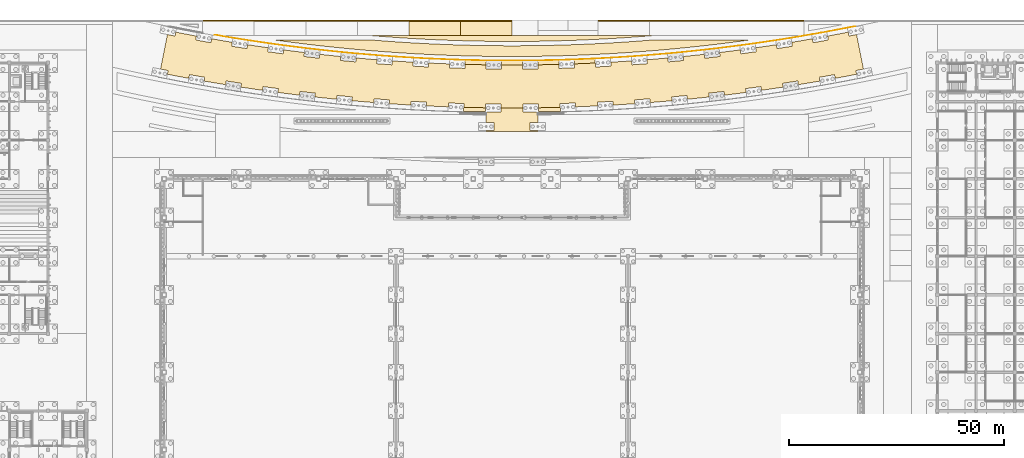
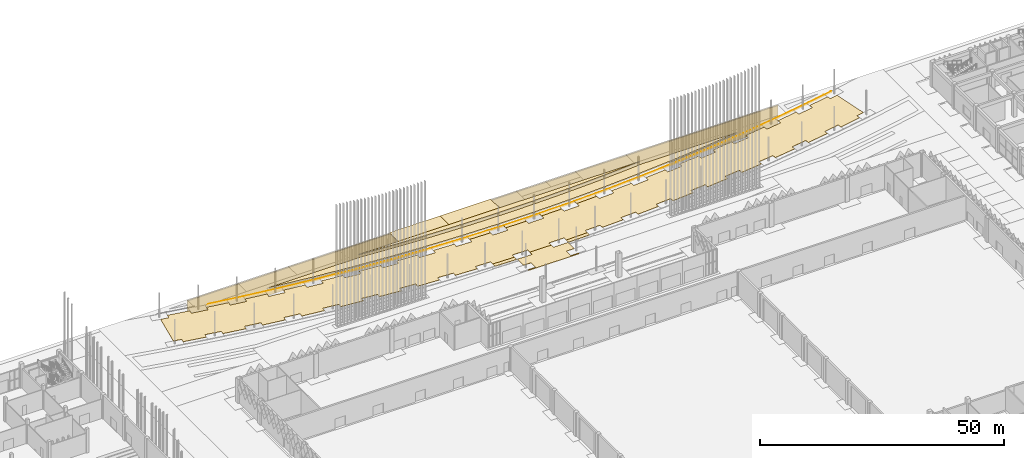
# One storey, part 173 of 198: 14 coverings.
"""IFC4 building model written with IfcOpenShell, lengths in metres."""

from ifc_helpers import new_model, si_unit, direction, frame, origin, place, context, subcontext, project, spatial, polyline, outline, extrude, material, layer, layer_set, type_object, element, save


model = new_model("IFC4")

# Units and contexts
model_context = context("Model", 3, precision=1e-05, world=origin(), true_north=direction((0.0, 1.0)))
body_context = subcontext(model_context, "Body", "Model", "MODEL_VIEW")
ifc_project = project(units=[si_unit("LENGTHUNIT", "METRE"), si_unit("AREAUNIT", "SQUARE_METRE"), si_unit("VOLUMEUNIT", "CUBIC_METRE"), si_unit("PLANEANGLEUNIT", "RADIAN"), si_unit("MASSUNIT", "GRAM", prefix="KILO")], contexts=[model_context])

# Site, building, storey
site_placement = place(None, origin())
site = spatial("IfcSite", under=ifc_project, at=site_placement, CompositionType="ELEMENT")
building_placement = place(site_placement, origin())
building = spatial("IfcBuilding", under=site, at=building_placement, Name="Opaline Strait Convention Centre", CompositionType="ELEMENT")
storey_placement = place(building_placement, origin())
storey = spatial("IfcBuildingStorey", under=building, at=storey_placement, Name="L00", CompositionType="ELEMENT", Elevation=0.0)

# Coverings
ifc_material_1 = material(Name="Asphalt road surfacing")
ifc_layer_1 = layer(ifc_material_1, 0.14990234375)
ifc_layer_set_1 = layer_set([ifc_layer_1], Name="Asphalt road surfacing")
covering_type_1 = type_object("IfcCoveringType", Name="Asphalt road surfacing 150", PredefinedType="FLOORING", material=ifc_layer_set_1)
covering_1_placement = place(storey_placement, frame((0.0, 0.0, -0.14990234375)))
element("IfcCovering", 1, at=covering_1_placement, inside=storey, type_object=covering_type_1, Name="Coach Bay 5 surfacing", PredefinedType="FLOORING", context=body_context, shape_type="SweptSolid", body=[
    extrude(outline(polyline([(156.0, 190.0), (156.0, 186.39990234375), (168.0, 186.39990234375), (168.0, 190.0), (156.0, 190.0)])), origin(), (0.0, 0.0, 1.0), 0.14990234375),
])
covering_2_placement = place(storey_placement, frame((0.0, 0.0, -0.14990234375)))
element("IfcCovering", 2, at=covering_2_placement, inside=storey, type_object=covering_type_1, Name="Coach Bay 6 surfacing", PredefinedType="FLOORING", context=body_context, shape_type="SweptSolid", body=[
    extrude(outline(polyline([(168.0, 190.0), (168.0, 186.39990234375), (180.0, 186.39990234375), (180.0, 190.0), (168.0, 190.0)])), origin(), (0.0, 0.0, 1.0), 0.14990234375),
])
ifc_material_2 = material(Name="Granite paving slabs on mortar bed", Category="masonry")
ifc_layer_2 = layer(ifc_material_2, 0.14990234375)
ifc_layer_set_2 = layer_set([ifc_layer_2], Name="Granite paving slabs on mortar bed")
covering_type_2 = type_object("IfcCoveringType", Name="Granite paving 150", PredefinedType="FLOORING", material=ifc_layer_set_2)
covering_3_placement = place(storey_placement, frame((0.0, 0.0, -0.14990234375)))
element("IfcCovering", 3, at=covering_3_placement, inside=storey, type_object=covering_type_2, Name="Forecourt surfacing", PredefinedType="FLOORING", context=body_context, shape_type="SweptSolid", body=[
    extrude(outline(polyline([(173.84130859375, 168.646240234375), (173.85107421875, 169.561279296875), (168.773681640625, 169.6689453125), (168.744873046875, 168.75537109375), (169.712890625, 168.728759765625), (169.7421875, 168.72802734375), (171.767333984375, 168.6826171875), (171.796875, 168.681884765625), (173.82177734375, 168.646484375), (173.84130859375, 168.646240234375)])), origin(), (0.0, 0.0, 1.0), 0.14990234375),
])
covering_4_placement = place(storey_placement, frame((0.0, 0.0, -0.14990234375)))
element("IfcCovering", 4, at=covering_4_placement, inside=storey, type_object=covering_type_2, Name="Forecourt surfacing", PredefinedType="FLOORING", context=body_context, shape_type="SweptSolid", body=[
    extrude(outline(polyline([(190.2578125, 168.72802734375), (190.287109375, 168.728759765625), (191.255126953125, 168.75537109375), (191.226318359375, 169.6689453125), (186.14892578125, 169.561279296875), (186.15869140625, 168.646240234375), (186.17822265625, 168.646484375), (188.203125, 168.681884765625), (188.232666015625, 168.6826171875), (190.2578125, 168.72802734375)])), origin(), (0.0, 0.0, 1.0), 0.14990234375),
])
covering_5_placement = place(storey_placement, frame((0.0, 0.0, -0.14990234375)))
element("IfcCovering", 5, at=covering_5_placement, inside=storey, type_object=covering_type_2, Name="Forecourt surfacing", PredefinedType="FLOORING", context=body_context, shape_type="SweptSolid", body=[
    extrude(outline(polyline([(177.576171875, 180.408203125), (177.56689453125, 179.5224609375), (182.43310546875, 179.5224609375), (182.423828125, 180.408203125), (181.99560546875, 180.405029296875), (180.0, 180.39990234375), (178.00439453125, 180.405029296875), (177.576171875, 180.408203125)])), origin(), (0.0, 0.0, 1.0), 0.14990234375),
])
covering_6_placement = place(storey_placement, frame((0.0, 0.0, -0.14990234375)))
element("IfcCovering", 6, at=covering_6_placement, inside=storey, type_object=covering_type_2, Name="Forecourt surfacing", PredefinedType="FLOORING", context=body_context, shape_type="SweptSolid", body=[
    extrude(outline(polyline([(169.11962890625, 180.54931640625), (169.09130859375, 179.663818359375), (173.95703125, 179.560791015625), (173.96630859375, 180.44580078125), (172.01806640625, 180.479736328125), (170.0224609375, 180.524658203125), (169.06591796875, 180.551025390625), (169.11962890625, 180.54931640625)])), origin(), (0.0, 0.0, 1.0), 0.14990234375),
])
covering_7_placement = place(storey_placement, frame((0.0, 0.0, -0.14990234375)))
element("IfcCovering", 7, at=covering_7_placement, inside=storey, type_object=covering_type_2, Name="Forecourt surfacing", PredefinedType="FLOORING", context=body_context, shape_type="SweptSolid", body=[
    extrude(outline(polyline([(186.03369140625, 180.44580078125), (186.04296875, 179.560791015625), (190.90869140625, 179.663818359375), (190.88037109375, 180.54931640625), (190.93408203125, 180.551025390625), (189.9775390625, 180.524658203125), (187.98193359375, 180.479736328125), (186.03369140625, 180.44580078125)])), origin(), (0.0, 0.0, 1.0), 0.14990234375),
])
covering_8_placement = place(storey_placement, frame((0.0, 0.0, -0.14990234375)))
element("IfcCovering", 8, at=covering_8_placement, inside=storey, type_object=covering_type_2, Name="Forecourt surfacing", PredefinedType="FLOORING", context=body_context, shape_type="SweptSolid", body=[
    extrude(outline(polyline([(194.488525390625, 180.6640625), (194.516845703125, 179.778564453125), (199.379150390625, 179.984619140625), (199.332275390625, 180.869140625), (199.346923828125, 180.8701171875), (197.959716796875, 180.80419921875), (195.964111328125, 180.71923828125), (194.488525390625, 180.6640625)])), origin(), (0.0, 0.0, 1.0), 0.14990234375),
])
covering_9_placement = place(storey_placement, frame((0.0, 0.0, -0.14990234375)))
element("IfcCovering", 9, at=covering_9_placement, inside=storey, type_object=covering_type_2, Name="Forecourt Terrace 3 surfacing", PredefinedType="FLOORING", context=body_context, shape_type="SweptSolid", body=[
    extrude(outline(polyline([(151.75, 186.011474609375), (153.698486328125, 185.876708984375), (155.64697265625, 185.751708984375), (157.59521484375, 185.63623046875), (159.543701171875, 185.530517578125), (161.491943359375, 185.43408203125), (163.4404296875, 185.34765625), (165.388671875, 185.2705078125), (167.3369140625, 185.203369140625), (169.28515625, 185.1455078125), (171.2333984375, 185.097412109375), (173.181396484375, 185.05908203125), (175.129638671875, 185.030029296875), (177.077880859375, 185.010986328125), (179.02587890625, 185.001220703125), (180.97412109375, 185.001220703125), (182.922119140625, 185.010986328125), (184.870361328125, 185.030029296875), (186.818603515625, 185.05908203125), (188.7666015625, 185.097412109375), (190.71484375, 185.1455078125), (192.6630859375, 185.203369140625), (194.611328125, 185.2705078125), (196.5595703125, 185.34765625), (198.508056640625, 185.43408203125), (200.456298828125, 185.530517578125), (202.40478515625, 185.63623046875), (204.35302734375, 185.751708984375), (206.301513671875, 185.876708984375), (208.25, 186.011474609375), (210.198486328125, 186.15576171875), (212.147216796875, 186.309814453125), (213.2216796875, 186.39990234375), (212.0, 186.39990234375), (200.0, 186.39990234375), (186.0, 186.39990234375), (180.0, 186.39990234375), (168.0, 186.39990234375), (156.0, 186.39990234375), (146.7783203125, 186.39990234375), (147.852783203125, 186.309814453125), (149.801513671875, 186.15576171875), (151.75, 186.011474609375)])), origin(), (0.0, 0.0, 1.0), 0.14990234375),
])
ifc_material_3 = material(Name="Limestone paving slabs on mortar bed", Category="masonry")
ifc_layer_3 = layer(ifc_material_3, 0.14990234375)
ifc_layer_set_3 = layer_set([ifc_layer_3], Name="Limestone paving slabs on mortar bed")
covering_type_3 = type_object("IfcCoveringType", Name="Limestone court paving 150", PredefinedType="FLOORING", material=ifc_layer_set_3)
covering_10_placement = place(storey_placement, frame((0.0, 0.0, -0.14990234375)))
element("IfcCovering", 10, at=covering_10_placement, inside=storey, type_object=covering_type_3, Name="Strait Arcade surfacing", PredefinedType="FLOORING", context=body_context, shape_type="SweptSolid", body=[
    extrude(outline(polyline([(101.572998046875, 186.261474609375), (99.802978515625, 186.615478515625), (98.197021484375, 178.58447265625), (99.966796875, 178.23046875), (99.79296875, 177.36083984375), (104.777099609375, 176.416015625), (104.93359375, 177.288818359375), (108.48681640625, 176.652099609375), (108.33056640625, 175.779296875), (113.333740234375, 174.93505859375), (113.472412109375, 175.810791015625), (117.0380859375, 175.24658203125), (116.8994140625, 174.370849609375), (121.919921875, 173.62890625), (122.04052734375, 174.507080078125), (125.616943359375, 174.01611328125), (125.496337890625, 173.1376953125), (130.531982421875, 172.499267578125), (130.634521484375, 173.379638671875), (134.22021484375, 172.962646484375), (134.117919921875, 172.08251953125), (139.16650390625, 171.54833984375), (139.25048828125, 172.4306640625), (142.84423828125, 172.08837890625), (142.76025390625, 171.206298828125), (147.8193359375, 170.778076171875), (147.885009765625, 171.66162109375), (151.485107421875, 171.394775390625), (151.419677734375, 170.51123046875), (156.487060546875, 170.189208984375), (156.533935546875, 171.07421875), (160.138916015625, 170.88330078125), (160.092041015625, 169.99853515625), (165.16552734375, 169.783447265625), (165.19384765625, 170.6689453125), (168.802001953125, 170.55419921875), (168.773681640625, 169.6689453125), (173.85107421875, 169.561279296875), (173.8603515625, 170.447021484375), (177.47021484375, 170.40869140625), (177.460693359375, 169.52294921875), (182.539306640625, 169.52294921875), (182.52978515625, 170.40869140625), (186.1396484375, 170.447021484375), (186.14892578125, 169.561279296875), (191.226318359375, 169.6689453125), (191.197998046875, 170.55419921875), (194.80615234375, 170.6689453125), (194.83447265625, 169.783447265625), (199.907958984375, 169.99853515625), (199.861083984375, 170.88330078125), (203.466064453125, 171.07421875), (203.512939453125, 170.189208984375), (208.580322265625, 170.51123046875), (208.514892578125, 171.394775390625), (212.114990234375, 171.66162109375), (212.1806640625, 170.778076171875), (217.23974609375, 171.206298828125), (217.15576171875, 172.08837890625), (220.74951171875, 172.4306640625), (220.83349609375, 171.54833984375), (225.882080078125, 172.08251953125), (225.77978515625, 172.962646484375), (229.365478515625, 173.379638671875), (229.468017578125, 172.499267578125), (234.503662109375, 173.1376953125), (234.383056640625, 174.01611328125), (237.95947265625, 174.507080078125), (238.080078125, 173.62890625), (243.1005859375, 174.370849609375), (242.9619140625, 175.24658203125), (246.527587890625, 175.810791015625), (246.666259765625, 174.93505859375), (251.66943359375, 175.779296875), (251.51318359375, 176.652099609375), (255.06640625, 177.288818359375), (255.222900390625, 176.416015625), (260.20703125, 177.36083984375), (260.033203125, 178.23046875), (261.802978515625, 178.58447265625), (260.197021484375, 186.615478515625), (258.427001953125, 186.261474609375), (258.245849609375, 187.166748046875), (253.458984375, 186.259033203125), (253.621826171875, 185.3505859375), (250.068603515625, 184.713623046875), (249.90576171875, 185.62255859375), (245.102783203125, 184.81201171875), (245.2470703125, 183.900146484375), (241.681396484375, 183.335693359375), (241.537109375, 184.247802734375), (236.719482421875, 183.535888671875), (236.84521484375, 182.620849609375), (233.268798828125, 182.1298828125), (233.143310546875, 183.044921875), (228.312744140625, 182.432373046875), (228.41943359375, 181.514892578125), (224.83349609375, 181.097900390625), (224.726806640625, 182.015380859375), (219.885498046875, 181.50341796875), (219.97314453125, 180.583740234375), (216.37939453125, 180.241455078125), (216.291748046875, 181.161376953125), (211.441650390625, 180.75048828125), (211.510009765625, 179.8291015625), (207.90966796875, 179.562255859375), (207.84130859375, 180.48388671875), (202.984130859375, 180.17529296875), (203.032958984375, 179.252685546875), (199.427978515625, 179.061767578125), (199.379150390625, 179.984619140625), (194.516845703125, 179.778564453125), (194.546142578125, 178.85498046875), (190.93798828125, 178.740234375), (190.90869140625, 179.663818359375), (186.04296875, 179.560791015625), (186.052734375, 178.63671875), (182.443115234375, 178.598388671875), (182.43310546875, 179.5224609375), (177.56689453125, 179.5224609375), (177.556884765625, 178.598388671875), (173.947265625, 178.63671875), (173.95703125, 179.560791015625), (169.09130859375, 179.663818359375), (169.06201171875, 178.740234375), (165.453857421875, 178.85498046875), (165.483154296875, 179.778564453125), (160.620849609375, 179.984619140625), (160.572021484375, 179.061767578125), (156.967041015625, 179.252685546875), (157.015869140625, 180.17529296875), (152.15869140625, 180.48388671875), (152.09033203125, 179.562255859375), (148.489990234375, 179.8291015625), (148.558349609375, 180.75048828125), (143.708251953125, 181.161376953125), (143.62060546875, 180.241455078125), (140.02685546875, 180.583740234375), (140.114501953125, 181.50341796875), (135.273193359375, 182.015380859375), (135.16650390625, 181.097900390625), (131.58056640625, 181.514892578125), (131.687255859375, 182.432373046875), (126.856689453125, 183.044921875), (126.731201171875, 182.1298828125), (123.15478515625, 182.620849609375), (123.280517578125, 183.535888671875), (118.462890625, 184.247802734375), (118.318603515625, 183.335693359375), (114.7529296875, 183.900146484375), (114.897216796875, 184.81201171875), (110.09423828125, 185.62255859375), (109.931396484375, 184.713623046875), (106.378173828125, 185.3505859375), (106.541015625, 186.259033203125), (101.754150390625, 187.166748046875), (101.572998046875, 186.261474609375)])), origin(), (0.0, 0.0, 1.0), 0.14990234375),
])
covering_11_placement = place(storey_placement, frame((0.0, 0.0, -0.14990234375)))
element("IfcCovering", 11, at=covering_11_placement, inside=storey, type_object=covering_type_3, Name="Strait Arcade Walk surfacing", PredefinedType="FLOORING", context=body_context, shape_type="SweptSolid", body=[
    extrude(outline(polyline([(174.0, 164.0), (186.0, 164.0), (186.0, 164.294921875), (184.195068359375, 164.294921875), (184.195068359375, 166.10498046875), (186.0, 166.10498046875), (186.0, 168.635498046875), (182.549072265625, 168.598876953125), (182.539306640625, 169.52294921875), (177.460693359375, 169.52294921875), (177.450927734375, 168.598876953125), (174.0, 168.635498046875), (174.0, 166.10498046875), (175.804931640625, 166.10498046875), (175.804931640625, 164.294921875), (174.0, 164.294921875), (174.0, 164.0)])), origin(), (0.0, 0.0, 1.0), 0.14990234375),
])
ifc_material_4 = material(Name="Permeable concrete block paving C30", Category="concrete")
ifc_layer_4 = layer(ifc_material_4, 0.14990234375)
ifc_layer_set_4 = layer_set([ifc_layer_4], Name="Permeable concrete block paving C30")
covering_type_4 = type_object("IfcCoveringType", Name="Permeable block paving 150", PredefinedType="FLOORING", material=ifc_layer_set_4)
covering_12_placement = place(storey_placement, frame((0.0, 0.0, -0.14990234375)))
element("IfcCovering", 12, at=covering_12_placement, inside=storey, type_object=covering_type_4, Name="Arcade edge strip surfacing", PredefinedType="FLOORING", context=body_context, shape_type="SweptSolid", body=[
    extrude(outline(polyline([(255.8486328125, 187.606689453125), (257.845703125, 187.990966796875), (258.072021484375, 188.03564453125), (258.072021484375, 188.036376953125), (259.85595703125, 188.39306640625), (259.83740234375, 188.486328125), (259.8232421875, 188.4833984375), (257.851318359375, 188.093994140625), (255.87939453125, 187.714111328125), (253.907470703125, 187.34423828125), (251.935791015625, 186.98388671875), (249.964111328125, 186.63330078125), (247.9921875, 186.29248046875), (246.020751953125, 185.96142578125), (244.04931640625, 185.640380859375), (242.077880859375, 185.32861328125), (240.1064453125, 185.02685546875), (238.135009765625, 184.73486328125), (236.163818359375, 184.45263671875), (234.192626953125, 184.179931640625), (232.221435546875, 183.917236328125), (230.25048828125, 183.6640625), (228.279296875, 183.4208984375), (226.308349609375, 183.187255859375), (224.33740234375, 182.96337890625), (222.366455078125, 182.749267578125), (220.395751953125, 182.544921875), (218.4248046875, 182.35009765625), (216.4541015625, 182.165283203125), (214.4833984375, 181.989990234375), (212.5126953125, 181.82470703125), (210.5419921875, 181.6689453125), (208.571533203125, 181.52294921875), (206.600830078125, 181.38671875), (204.63037109375, 181.26025390625), (202.659912109375, 181.1435546875), (200.689208984375, 181.036376953125), (198.71875, 180.939208984375), (196.748291015625, 180.8515625), (194.77783203125, 180.773681640625), (192.8076171875, 180.70556640625), (190.837158203125, 180.647216796875), (188.86669921875, 180.598388671875), (186.896240234375, 180.5595703125), (184.92578125, 180.530517578125), (182.95556640625, 180.510986328125), (180.985107421875, 180.501220703125), (179.014892578125, 180.501220703125), (177.04443359375, 180.510986328125), (175.07421875, 180.530517578125), (173.103759765625, 180.5595703125), (171.13330078125, 180.598388671875), (169.162841796875, 180.647216796875), (167.1923828125, 180.70556640625), (165.22216796875, 180.773681640625), (163.251708984375, 180.8515625), (161.28125, 180.939208984375), (159.310791015625, 181.036376953125), (157.340087890625, 181.1435546875), (155.36962890625, 181.26025390625), (153.399169921875, 181.38671875), (151.428466796875, 181.52294921875), (149.4580078125, 181.6689453125), (147.4873046875, 181.82470703125), (145.5166015625, 181.989990234375), (143.5458984375, 182.165283203125), (141.5751953125, 182.35009765625), (139.604248046875, 182.544921875), (137.633544921875, 182.749267578125), (135.66259765625, 182.96337890625), (133.691650390625, 183.187255859375), (131.720703125, 183.4208984375), (129.74951171875, 183.6640625), (127.778564453125, 183.917236328125), (125.807373046875, 184.179931640625), (123.836181640625, 184.45263671875), (121.864990234375, 184.73486328125), (119.8935546875, 185.02685546875), (117.922119140625, 185.32861328125), (115.95068359375, 185.640380859375), (113.979248046875, 185.96142578125), (112.0078125, 186.29248046875), (111.385986328125, 186.39990234375), (110.798583984375, 186.39990234375), (112.138916015625, 186.168701171875), (114.135498046875, 185.83447265625), (115.093994140625, 185.6787109375), (118.6015625, 185.12353515625), (118.6015625, 185.123291015625), (120.125244140625, 184.89111328125), (122.12158203125, 184.596435546875), (123.43408203125, 184.409423828125), (126.934326171875, 183.928955078125), (128.110595703125, 183.77294921875), (130.106689453125, 183.5185546875), (131.78955078125, 183.3125), (131.78955078125, 183.3125), (135.30517578125, 182.90380859375), (136.09521484375, 182.81494140625), (138.091064453125, 182.600341796875), (140.087158203125, 182.395751953125), (140.1982421875, 182.385009765625), (140.198486328125, 182.3857421875), (143.792236328125, 182.04345703125), (143.7919921875, 182.04296875), (144.078857421875, 182.0166015625), (146.07470703125, 181.841796875), (148.070556640625, 181.67724609375), (148.64892578125, 181.63232421875), (152.22412109375, 181.367431640625), (152.22412109375, 181.366943359375), (154.0576171875, 181.2431640625), (156.053466796875, 181.118408203125), (157.134765625, 181.05615234375), (160.653076171875, 180.8701171875), (162.040283203125, 180.80419921875), (164.035888671875, 180.71923828125), (165.513916015625, 180.663818359375), (169.06591796875, 180.551025390625), (170.0224609375, 180.524658203125), (172.01806640625, 180.479736328125), (173.96630859375, 180.44580078125), (173.96630859375, 180.446533203125), (177.576171875, 180.408203125), (178.00439453125, 180.405029296875), (180.0, 180.39990234375), (181.99560546875, 180.405029296875), (182.423828125, 180.408203125), (186.03369140625, 180.446533203125), (186.03369140625, 180.44580078125), (187.98193359375, 180.479736328125), (189.9775390625, 180.524658203125), (190.93408203125, 180.551025390625), (194.486083984375, 180.663818359375), (195.964111328125, 180.71923828125), (197.959716796875, 180.80419921875), (199.346923828125, 180.8701171875), (202.865234375, 181.05615234375), (203.946533203125, 181.118408203125), (205.9423828125, 181.2431640625), (207.77587890625, 181.366943359375), (207.77587890625, 181.367431640625), (211.35107421875, 181.63232421875), (211.929443359375, 181.67724609375), (213.92529296875, 181.841796875), (215.921142578125, 182.0166015625), (216.2080078125, 182.04296875), (216.207763671875, 182.04345703125), (219.801513671875, 182.3857421875), (219.8017578125, 182.385009765625), (219.912841796875, 182.395751953125), (221.908935546875, 182.600341796875), (223.90478515625, 182.81494140625), (224.69482421875, 182.90380859375), (228.21044921875, 183.3125), (228.21044921875, 183.3125), (229.893310546875, 183.5185546875), (231.889404296875, 183.77294921875), (233.065673828125, 183.928955078125), (236.56591796875, 184.409423828125), (237.87841796875, 184.596435546875), (239.874755859375, 184.89111328125), (241.3984375, 185.123291015625), (241.3984375, 185.12353515625), (244.906005859375, 185.6787109375), (245.864501953125, 185.83447265625), (247.861083984375, 186.168701171875), (249.74951171875, 186.494384765625), (249.749267578125, 186.495361328125), (253.302490234375, 187.132080078125), (253.302734375, 187.1318359375), (253.851806640625, 187.232177734375), (255.8486328125, 187.606689453125)])), origin(), (0.0, 0.0, 1.0), 0.14990234375),
])
ifc_material_5 = material(Name="Planting soil and shrub planting")
ifc_layer_5 = layer(ifc_material_5, 0.300048828125)
ifc_layer_set_5 = layer_set([ifc_layer_5], Name="Planting soil and shrub planting")
covering_type_5 = type_object("IfcCoveringType", Name="Planted border bed 300", PredefinedType="USERDEFINED", material=ifc_layer_set_5)
covering_13_placement = place(storey_placement, frame((0.0, 0.0, -0.300048828125)))
element("IfcCovering", 13, at=covering_13_placement, inside=storey, type_object=covering_type_5, Name="Strait Garden North bed surfacing", ObjectType="LANDSCAPE", PredefinedType="USERDEFINED", context=body_context, shape_type="SweptSolid", body=[
    extrude(outline(polyline([(147.77392578125, 185.31298828125), (147.76904296875, 185.313232421875), (146.736328125, 185.39990234375), (124.28515625, 185.39990234375), (125.94189453125, 185.1708984375), (127.908203125, 184.90869140625), (129.87451171875, 184.65625), (131.8408203125, 184.41357421875), (133.806884765625, 184.180419921875), (135.77294921875, 183.957275390625), (137.739013671875, 183.74365234375), (139.705078125, 183.539794921875), (141.6708984375, 183.345703125), (143.636962890625, 183.1611328125), (145.602783203125, 182.986328125), (147.568603515625, 182.8212890625), (149.5341796875, 182.666015625), (151.5, 182.5205078125), (153.465576171875, 182.384521484375), (155.431396484375, 182.25830078125), (157.39697265625, 182.141845703125), (159.362548828125, 182.03515625), (161.327880859375, 181.93798828125), (163.293701171875, 181.8505859375), (165.259033203125, 181.77294921875), (167.224609375, 181.705078125), (169.190185546875, 181.646728515625), (171.155517578125, 181.598388671875), (173.12109375, 181.5595703125), (175.08642578125, 181.530517578125), (177.052001953125, 181.510986328125), (179.017333984375, 181.501220703125), (180.982666015625, 181.501220703125), (182.947998046875, 181.510986328125), (184.91357421875, 181.530517578125), (186.87890625, 181.5595703125), (188.844482421875, 181.598388671875), (190.809814453125, 181.646728515625), (192.775390625, 181.705078125), (194.740966796875, 181.77294921875), (196.706298828125, 181.8505859375), (198.672119140625, 181.93798828125), (200.637451171875, 182.03515625), (202.60302734375, 182.141845703125), (204.568603515625, 182.25830078125), (206.534423828125, 182.384521484375), (208.5, 182.5205078125), (210.4658203125, 182.666015625), (212.431396484375, 182.8212890625), (214.397216796875, 182.986328125), (216.363037109375, 183.1611328125), (218.3291015625, 183.345703125), (220.294921875, 183.539794921875), (222.260986328125, 183.74365234375), (224.22705078125, 183.957275390625), (226.193115234375, 184.180419921875), (228.1591796875, 184.41357421875), (230.12548828125, 184.65625), (232.091796875, 184.90869140625), (234.05810546875, 185.1708984375), (235.71484375, 185.39990234375), (213.263671875, 185.39990234375), (212.23095703125, 185.313232421875), (212.22607421875, 185.31298828125), (210.27734375, 185.158935546875), (210.2724609375, 185.15869140625), (208.323974609375, 185.01416015625), (208.319091796875, 185.013916015625), (206.37060546875, 184.879150390625), (206.365478515625, 184.87890625), (204.417236328125, 184.753662109375), (204.412109375, 184.75341796875), (202.4638671875, 184.637939453125), (202.458984375, 184.6376953125), (200.510498046875, 184.531982421875), (200.505615234375, 184.531494140625), (198.557373046875, 184.435302734375), (198.552490234375, 184.435302734375), (196.60400390625, 184.3486328125), (196.59912109375, 184.348388671875), (194.65087890625, 184.271484375), (194.64599609375, 184.271240234375), (192.69775390625, 184.203857421875), (192.69287109375, 184.20361328125), (190.744384765625, 184.14599609375), (190.739501953125, 184.145751953125), (188.79150390625, 184.09765625), (188.78662109375, 184.09765625), (186.83837890625, 184.05908203125), (186.83349609375, 184.05908203125), (184.88525390625, 184.0302734375), (184.88037109375, 184.030029296875), (182.93212890625, 184.010986328125), (182.92724609375, 184.010986328125), (180.97900390625, 184.001220703125), (180.97412109375, 184.001220703125), (179.02587890625, 184.001220703125), (179.02099609375, 184.001220703125), (177.07275390625, 184.010986328125), (177.06787109375, 184.010986328125), (175.11962890625, 184.030029296875), (175.11474609375, 184.0302734375), (173.16650390625, 184.05908203125), (173.16162109375, 184.05908203125), (171.21337890625, 184.09765625), (171.20849609375, 184.09765625), (169.260498046875, 184.145751953125), (169.255615234375, 184.14599609375), (167.30712890625, 184.20361328125), (167.30224609375, 184.203857421875), (165.35400390625, 184.271240234375), (165.34912109375, 184.271484375), (163.40087890625, 184.348388671875), (163.39599609375, 184.3486328125), (161.447509765625, 184.435302734375), (161.442626953125, 184.435302734375), (159.494384765625, 184.531494140625), (159.489501953125, 184.531982421875), (157.541015625, 184.6376953125), (157.5361328125, 184.637939453125), (155.587890625, 184.75341796875), (155.582763671875, 184.753662109375), (153.634521484375, 184.87890625), (153.62939453125, 184.879150390625), (151.680908203125, 185.013916015625), (151.676025390625, 185.01416015625), (149.7275390625, 185.15869140625), (149.72265625, 185.158935546875), (147.77392578125, 185.31298828125)])), origin(), (0.0, 0.0, 1.0), 0.300048828125),
])
ifc_material_6 = material(Name="Stabilised soil platform edge 300")
ifc_layer_6 = layer(ifc_material_6, 0.300048828125)
ifc_layer_set_6 = layer_set([ifc_layer_6], Name="Stabilised soil platform edge 300")
covering_type_6 = type_object("IfcCoveringType", Name="Platform edge facing 300", PredefinedType="CLADDING", material=ifc_layer_set_6)
covering_14_placement = place(storey_placement, frame((0.0, 0.0, -5.5)))
element("IfcCovering", 14, at=covering_14_placement, inside=storey, type_object=covering_type_6, Name="Platform edge facing", PredefinedType="CLADDING", context=body_context, shape_type="SweptSolid", body=[
    extrude(outline(polyline([(248.0, 190.0), (108.0, 190.0), (108.0, 189.699951171875), (248.0, 189.699951171875), (248.0, 190.0)])), origin(), (0.0, 0.0, 1.0), 5.35009765625),
])

save(model, "model.ifc")
